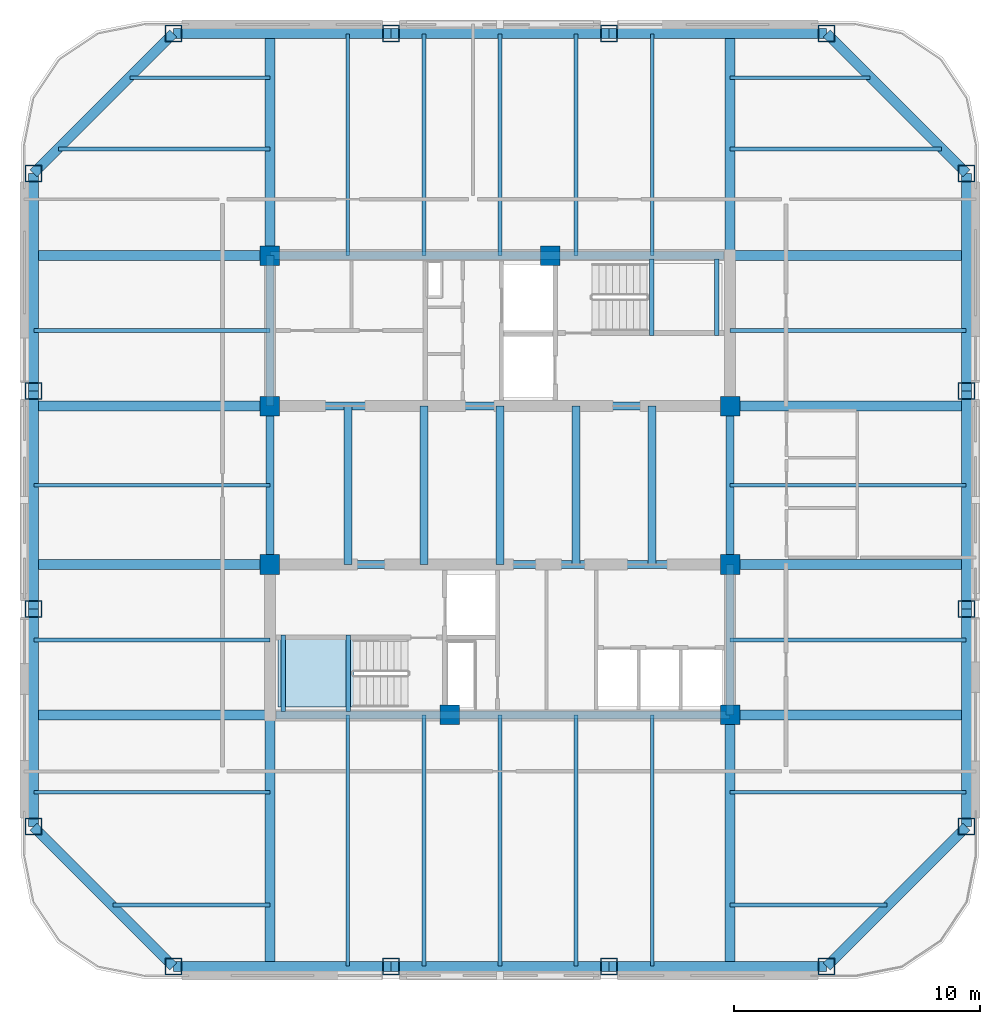
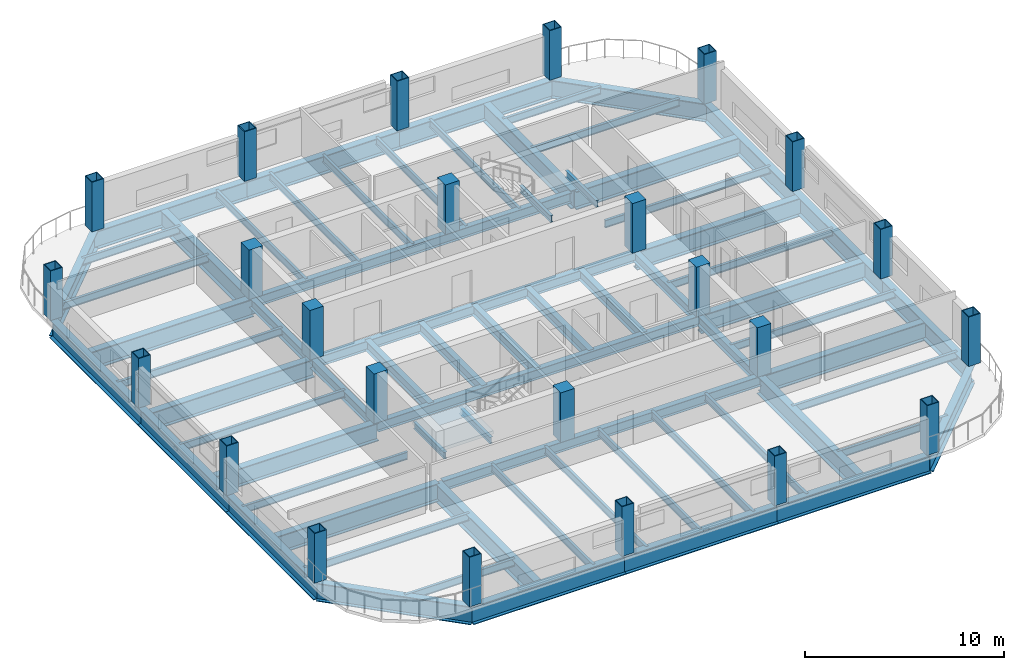
# One storey, part 1 of 8: 69 beams, 24 columns, 1 slab, 1 element without a shape of its own.
"""IFC4 building model written with IfcOpenShell, lengths in metres."""

from ifc_helpers import new_model, si_unit, direction, frame, origin, origin_2d, place, context, subcontext, project, spatial, polyline, rectangle, hollow_rectangle, i_section, outline, extrude, material, layer, layer_set, material_profile, profile_set, type_object, element, aggregate, save


model = new_model("IFC4")

# Units and contexts
model_context = context("Model", 3, precision=1e-05, world=origin(), true_north=direction((0.0, 1.0)))
body_context = subcontext(model_context, "Body", "Model", "MODEL_VIEW")
ifc_project = project(units=[si_unit("LENGTHUNIT", "METRE"), si_unit("AREAUNIT", "SQUARE_METRE"), si_unit("VOLUMEUNIT", "CUBIC_METRE"), si_unit("PLANEANGLEUNIT", "RADIAN"), si_unit("MASSUNIT", "GRAM", prefix="KILO")], contexts=[model_context])

# Site, building, storey
site_placement = place(None, origin())
site = spatial("IfcSite", under=ifc_project, at=site_placement, CompositionType="ELEMENT")
building_placement = place(site_placement, origin())
building = spatial("IfcBuilding", under=site, at=building_placement, Name="Qhalaya Broadcast Tower", CompositionType="ELEMENT")
storey_placement = place(building_placement, frame((0.0, 0.0, 202.550048828125)))
storey = spatial("IfcBuildingStorey", under=building, at=storey_placement, Name="L59", CompositionType="ELEMENT", Elevation=202.550048828125)

# Columns
ifc_material_1 = material(Name="Concrete C50/60", Category="concrete")
ifc_material_profile_1 = material_profile(ifc_material_1, rectangle(XDim=0.800048828125, YDim=0.800048828125, at=origin_2d()), Name="RC-COL 800x800")
ifc_profile_set_1 = profile_set([ifc_material_profile_1], Name="Concrete C50/60")
column_type_1 = type_object("IfcColumnType", Name="RC Upper Column C10", PredefinedType="COLUMN", material=ifc_profile_set_1)
for number, where, z_axis, x_axis, name in (
    (1, (-9.375, 9.949951171875, 0.0), (0.0, 0.0, 1.0), (1.0, 0.0, 0.0), "L59 Column COL-CC1"),
    (2, (2.050048828125, 9.949951171875, 0.0), (0.0, 0.0, 1.0), (1.0, 0.0, 0.0), "L59 Column COL-CC2"),
    (3, (-9.375, 3.824951171875, 0.0), (0.0, 0.0, 1.0), (1.0, 0.0, 0.0), "L59 Column COL-CC3"),
    (4, (9.375, 3.824951171875, 0.0), (0.0, 0.0, 1.0), (1.0, 0.0, 0.0), "L59 Column COL-CC4"),
    (5, (-9.375, -2.625, 0.0), (0.0, 0.0, 1.0), (1.0, 0.0, 0.0), "L59 Column COL-CC5"),
    (6, (9.375, -2.625, 0.0), (0.0, 0.0, 1.0), (1.0, 0.0, 0.0), "L59 Column COL-CC6"),
    (7, (-2.050048828125, -8.75, 0.0), (0.0, 0.0, 1.0), (1.0, 0.0, 0.0), "L59 Column COL-CC7"),
    (8, (9.375, -8.75, 0.0), (0.0, 0.0, 1.0), (1.0, 0.0, 0.0), "L59 Column COL-CC8"),
):
    element("IfcColumn", number, at=place(storey_placement, frame(where, z_axis=z_axis, x_axis=x_axis)), inside=storey, type_object=column_type_1, Name=name, PredefinedType="COLUMN", context=body_context, shape_type="SweptSolid", body=[
        extrude(rectangle(XDim=0.800048828125, YDim=0.800048828125, at=origin_2d()), origin(), (0.0, 0.0, 1.0), 3.050048828125),
    ])
ifc_material_2 = material(Name="Structural Steel ASTM A572 Grade 50", Category="steel")
ifc_material_profile_2 = material_profile(ifc_material_2, hollow_rectangle(XDim=0.699951171875, YDim=0.699951171875, WallThickness=0.044921875, at=origin_2d()), Name="BOX 700x700x45")
ifc_profile_set_2 = profile_set([ifc_material_profile_2], Name="Structural Steel ASTM A572 Grade 50")
column_type_2 = type_object("IfcColumnType", Name="Steel Box Column C04", PredefinedType="COLUMN", material=ifc_profile_set_2)
for number, where, z_axis, x_axis, name in (
    (9, (-13.300048828125, -19.0, 0.0), (0.0, 0.0, 1.0), (1.0, 0.0, 0.0), "L59 Column COL-EX01"),
    (10, (-4.433349609375, -19.0, 0.0), (0.0, 0.0, 1.0), (1.0, 0.0, 0.0), "L59 Column COL-EX02"),
    (11, (4.433349609375, -19.0, 0.0), (0.0, 0.0, 1.0), (1.0, 0.0, 0.0), "L59 Column COL-EX03"),
    (12, (13.300048828125, -19.0, 0.0), (0.0, 0.0, 1.0), (1.0, 0.0, 0.0), "L59 Column COL-EX04"),
    (13, (19.0, -13.300048828125, 0.0), (0.0, 0.0, 1.0), (0.0, 1.0, 0.0), "L59 Column COL-EX05"),
    (14, (19.0, -4.433349609375, 0.0), (0.0, 0.0, 1.0), (0.0, 1.0, 0.0), "L59 Column COL-EX06"),
    (15, (19.0, 4.433349609375, 0.0), (0.0, 0.0, 1.0), (0.0, 1.0, 0.0), "L59 Column COL-EX07"),
    (16, (19.0, 13.300048828125, 0.0), (0.0, 0.0, 1.0), (0.0, 1.0, 0.0), "L59 Column COL-EX08"),
    (17, (13.300048828125, 19.0, 0.0), (0.0, 0.0, 1.0), (1.0, 0.0, 0.0), "L59 Column COL-EX09"),
    (18, (4.433349609375, 19.0, 0.0), (0.0, 0.0, 1.0), (1.0, 0.0, 0.0), "L59 Column COL-EX10"),
    (19, (-4.433349609375, 19.0, 0.0), (0.0, 0.0, 1.0), (1.0, 0.0, 0.0), "L59 Column COL-EX11"),
    (20, (-13.300048828125, 19.0, 0.0), (0.0, 0.0, 1.0), (1.0, 0.0, 0.0), "L59 Column COL-EX12"),
    (21, (-19.0, 13.300048828125, 0.0), (0.0, 0.0, 1.0), (0.0, 1.0, 0.0), "L59 Column COL-EX13"),
    (22, (-19.0, 4.433349609375, 0.0), (0.0, 0.0, 1.0), (0.0, 1.0, 0.0), "L59 Column COL-EX14"),
    (23, (-19.0, -4.433349609375, 0.0), (0.0, 0.0, 1.0), (0.0, 1.0, 0.0), "L59 Column COL-EX15"),
    (24, (-19.0, -13.300048828125, 0.0), (0.0, 0.0, 1.0), (0.0, 1.0, 0.0), "L59 Column COL-EX16"),
):
    element("IfcColumn", number, at=place(storey_placement, frame(where, z_axis=z_axis, x_axis=x_axis)), inside=storey, type_object=column_type_2, Name=name, PredefinedType="COLUMN", context=body_context, shape_type="SweptSolid", body=[
        extrude(hollow_rectangle(XDim=0.699951171875, YDim=0.699951171875, WallThickness=0.044921875, at=origin_2d()), origin(), (0.0, 0.0, 1.0), 3.050048828125),
    ])

# Beams
ifc_material_3 = material(Name="Structural Steel ASTM A992 Grade 50", Category="steel")
ifc_material_profile_3 = material_profile(ifc_material_3, i_section(OverallWidth=0.154052734375, OverallDepth=0.458984375, WebThickness=0.009033203125, FlangeThickness=0.015380859375, at=origin_2d()), Name="W18X46")
ifc_profile_set_3 = profile_set([ifc_material_profile_3], Name="Structural Steel ASTM A992 Grade 50")
beam_type_1 = type_object("IfcBeamType", Name="Composite Floor Joist J04", PredefinedType="JOIST", material=ifc_profile_set_3)
beam_1_placement = place(storey_placement, frame((-6.199951171875, -18.97998046875, -0.41943359375), z_axis=(0.0, 1.0, 0.0), x_axis=(-1.0, 0.0, 0.0)))
element("IfcBeam", 25, at=beam_1_placement, inside=storey, type_object=beam_type_1, Name="L59 J04 L59-JNS1-1", PredefinedType="JOIST", context=body_context, shape_type="SweptSolid", body=[
    extrude(i_section(OverallWidth=0.154052734375, OverallDepth=0.458984375, WebThickness=0.009033203125, FlangeThickness=0.015380859375, at=origin_2d()), origin(), (0.0, 0.0, 1.0), 10.22998046875),
])
beam_2_placement = place(storey_placement, frame((-6.199951171875, 9.949951171875, -0.41943359375), z_axis=(0.0, 1.0, 0.0), x_axis=(-1.0, 0.0, 0.0)))
element("IfcBeam", 26, at=beam_2_placement, inside=storey, type_object=beam_type_1, Name="L59 J04 L59-JNN1-1", PredefinedType="JOIST", context=body_context, shape_type="SweptSolid", body=[
    extrude(i_section(OverallWidth=0.154052734375, OverallDepth=0.458984375, WebThickness=0.009033203125, FlangeThickness=0.015380859375, at=origin_2d()), origin(), (0.0, 0.0, 1.0), 9.030029296875),
])
beam_3_placement = place(storey_placement, frame((-3.10009765625, -18.97998046875, -0.41943359375), z_axis=(0.0, 1.0, 0.0), x_axis=(-1.0, 0.0, 0.0)))
element("IfcBeam", 27, at=beam_3_placement, inside=storey, type_object=beam_type_1, Name="L59 J04 L59-JNS2-1", PredefinedType="JOIST", context=body_context, shape_type="SweptSolid", body=[
    extrude(i_section(OverallWidth=0.154052734375, OverallDepth=0.458984375, WebThickness=0.009033203125, FlangeThickness=0.015380859375, at=origin_2d()), origin(), (0.0, 0.0, 1.0), 10.22998046875),
])
beam_4_placement = place(storey_placement, frame((-3.10009765625, 9.949951171875, -0.41943359375), z_axis=(0.0, 1.0, 0.0), x_axis=(-1.0, 0.0, 0.0)))
element("IfcBeam", 28, at=beam_4_placement, inside=storey, type_object=beam_type_1, Name="L59 J04 L59-JNN2-1", PredefinedType="JOIST", context=body_context, shape_type="SweptSolid", body=[
    extrude(i_section(OverallWidth=0.154052734375, OverallDepth=0.458984375, WebThickness=0.009033203125, FlangeThickness=0.015380859375, at=origin_2d()), origin(), (0.0, 0.0, 1.0), 9.030029296875),
])
beam_5_placement = place(storey_placement, frame((0.0, -18.97998046875, -0.41943359375), z_axis=(0.0, 1.0, 0.0), x_axis=(-1.0, 0.0, 0.0)))
element("IfcBeam", 29, at=beam_5_placement, inside=storey, type_object=beam_type_1, Name="L59 J04 L59-JNS3-1", PredefinedType="JOIST", context=body_context, shape_type="SweptSolid", body=[
    extrude(i_section(OverallWidth=0.154052734375, OverallDepth=0.458984375, WebThickness=0.009033203125, FlangeThickness=0.015380859375, at=origin_2d()), origin(), (0.0, 0.0, 1.0), 10.22998046875),
])
beam_6_placement = place(storey_placement, frame((0.0, 9.949951171875, -0.41943359375), z_axis=(0.0, 1.0, 0.0), x_axis=(-1.0, 0.0, 0.0)))
element("IfcBeam", 30, at=beam_6_placement, inside=storey, type_object=beam_type_1, Name="L59 J04 L59-JNN3-1", PredefinedType="JOIST", context=body_context, shape_type="SweptSolid", body=[
    extrude(i_section(OverallWidth=0.154052734375, OverallDepth=0.458984375, WebThickness=0.009033203125, FlangeThickness=0.015380859375, at=origin_2d()), origin(), (0.0, 0.0, 1.0), 9.030029296875),
])
beam_7_placement = place(storey_placement, frame((3.10009765625, -18.97998046875, -0.41943359375), z_axis=(0.0, 1.0, 0.0), x_axis=(-1.0, 0.0, 0.0)))
element("IfcBeam", 31, at=beam_7_placement, inside=storey, type_object=beam_type_1, Name="L59 J04 L59-JNS4-1", PredefinedType="JOIST", context=body_context, shape_type="SweptSolid", body=[
    extrude(i_section(OverallWidth=0.154052734375, OverallDepth=0.458984375, WebThickness=0.009033203125, FlangeThickness=0.015380859375, at=origin_2d()), origin(), (0.0, 0.0, 1.0), 10.22998046875),
])
beam_8_placement = place(storey_placement, frame((3.10009765625, 9.949951171875, -0.41943359375), z_axis=(0.0, 1.0, 0.0), x_axis=(-1.0, 0.0, 0.0)))
element("IfcBeam", 32, at=beam_8_placement, inside=storey, type_object=beam_type_1, Name="L59 J04 L59-JNN4-1", PredefinedType="JOIST", context=body_context, shape_type="SweptSolid", body=[
    extrude(i_section(OverallWidth=0.154052734375, OverallDepth=0.458984375, WebThickness=0.009033203125, FlangeThickness=0.015380859375, at=origin_2d()), origin(), (0.0, 0.0, 1.0), 9.030029296875),
])
beam_9_placement = place(storey_placement, frame((6.199951171875, -18.97998046875, -0.41943359375), z_axis=(0.0, 1.0, 0.0), x_axis=(-1.0, 0.0, 0.0)))
element("IfcBeam", 33, at=beam_9_placement, inside=storey, type_object=beam_type_1, Name="L59 J04 L59-JNS5-1", PredefinedType="JOIST", context=body_context, shape_type="SweptSolid", body=[
    extrude(i_section(OverallWidth=0.154052734375, OverallDepth=0.458984375, WebThickness=0.009033203125, FlangeThickness=0.015380859375, at=origin_2d()), origin(), (0.0, 0.0, 1.0), 10.22998046875),
])
beam_10_placement = place(storey_placement, frame((6.199951171875, 9.949951171875, -0.41943359375), z_axis=(0.0, 1.0, 0.0), x_axis=(-1.0, 0.0, 0.0)))
element("IfcBeam", 34, at=beam_10_placement, inside=storey, type_object=beam_type_1, Name="L59 J04 L59-JNN5-1", PredefinedType="JOIST", context=body_context, shape_type="SweptSolid", body=[
    extrude(i_section(OverallWidth=0.154052734375, OverallDepth=0.458984375, WebThickness=0.009033203125, FlangeThickness=0.015380859375, at=origin_2d()), origin(), (0.0, 0.0, 1.0), 9.030029296875),
])
for number, where, z_axis, x_axis, name in (
    (35, (-15.771728515625, -16.5, -0.41943359375), (1.0, 0.0, 0.0), (0.0, 1.0, 0.0), "L59 J04 L59-JWE1W-1"),
    (36, (9.375, -16.5, -0.41943359375), (1.0, 0.0, 0.0), (0.0, 1.0, 0.0), "L59 J04 L59-JWE1E-1"),
):
    element("IfcBeam", number, at=place(storey_placement, frame(where, z_axis=z_axis, x_axis=x_axis)), inside=storey, type_object=beam_type_1, Name=name, PredefinedType="JOIST", context=body_context, shape_type="SweptSolid", body=[
        extrude(i_section(OverallWidth=0.154052734375, OverallDepth=0.458984375, WebThickness=0.009033203125, FlangeThickness=0.015380859375, at=origin_2d()), origin(), (0.0, 0.0, 1.0), 6.396728515625),
    ])
for number, where, z_axis, x_axis, name in (
    (37, (-18.97998046875, -11.89990234375, -0.41943359375), (1.0, 0.0, 0.0), (0.0, 1.0, 0.0), "L59 J04 L59-JWE2W-1"),
    (38, (9.375, -11.89990234375, -0.41943359375), (1.0, 0.0, 0.0), (0.0, 1.0, 0.0), "L59 J04 L59-JWE2E-1"),
    (39, (-18.97998046875, -5.699951171875, -0.41943359375), (1.0, 0.0, 0.0), (0.0, 1.0, 0.0), "L59 J04 L59-JWE3W-1"),
    (40, (9.375, -5.699951171875, -0.41943359375), (1.0, 0.0, 0.0), (0.0, 1.0, 0.0), "L59 J04 L59-JWE3E-1"),
    (41, (-18.97998046875, 0.60009765625, -0.41943359375), (1.0, 0.0, 0.0), (0.0, 1.0, 0.0), "L59 J04 L59-JWE4W-1"),
    (42, (9.375, 0.60009765625, -0.41943359375), (1.0, 0.0, 0.0), (0.0, 1.0, 0.0), "L59 J04 L59-JWE4E-1"),
    (43, (-18.97998046875, 6.89990234375, -0.41943359375), (1.0, 0.0, 0.0), (0.0, 1.0, 0.0), "L59 J04 L59-JWE5W-1"),
    (44, (9.375, 6.89990234375, -0.41943359375), (1.0, 0.0, 0.0), (0.0, 1.0, 0.0), "L59 J04 L59-JWE5E-1"),
):
    element("IfcBeam", number, at=place(storey_placement, frame(where, z_axis=z_axis, x_axis=x_axis)), inside=storey, type_object=beam_type_1, Name=name, PredefinedType="JOIST", context=body_context, shape_type="SweptSolid", body=[
        extrude(i_section(OverallWidth=0.154052734375, OverallDepth=0.458984375, WebThickness=0.009033203125, FlangeThickness=0.015380859375, at=origin_2d()), origin(), (0.0, 0.0, 1.0), 9.60498046875),
    ])
for number, where, z_axis, x_axis, name in (
    (45, (-17.9716796875, 14.300048828125, -0.41943359375), (1.0, 0.0, 0.0), (0.0, 1.0, 0.0), "L59 J04 L59-JWE6W-1"),
    (46, (9.375, 14.300048828125, -0.41943359375), (1.0, 0.0, 0.0), (0.0, 1.0, 0.0), "L59 J04 L59-JWE6E-1"),
):
    element("IfcBeam", number, at=place(storey_placement, frame(where, z_axis=z_axis, x_axis=x_axis)), inside=storey, type_object=beam_type_1, Name=name, PredefinedType="JOIST", context=body_context, shape_type="SweptSolid", body=[
        extrude(i_section(OverallWidth=0.154052734375, OverallDepth=0.458984375, WebThickness=0.009033203125, FlangeThickness=0.015380859375, at=origin_2d()), origin(), (0.0, 0.0, 1.0), 8.5966796875),
    ])
for number, where, z_axis, x_axis, name in (
    (47, (-15.07177734375, 17.199951171875, -0.41943359375), (1.0, 0.0, 0.0), (0.0, 1.0, 0.0), "L59 J04 L59-JWE7W-1"),
    (48, (9.375, 17.199951171875, -0.41943359375), (1.0, 0.0, 0.0), (0.0, 1.0, 0.0), "L59 J04 L59-JWE7E-1"),
):
    element("IfcBeam", number, at=place(storey_placement, frame(where, z_axis=z_axis, x_axis=x_axis)), inside=storey, type_object=beam_type_1, Name=name, PredefinedType="JOIST", context=body_context, shape_type="SweptSolid", body=[
        extrude(i_section(OverallWidth=0.154052734375, OverallDepth=0.458984375, WebThickness=0.009033203125, FlangeThickness=0.015380859375, at=origin_2d()), origin(), (0.0, 0.0, 1.0), 5.69677734375),
    ])
ifc_material_profile_4 = material_profile(ifc_material_3, i_section(OverallWidth=0.323974609375, OverallDepth=0.612060546875, WebThickness=0.0126953125, FlangeThickness=0.01904296875, at=origin_2d()), Name="W24X104")
ifc_profile_set_4 = profile_set([ifc_material_profile_4], Name="Structural Steel ASTM A992 Grade 50")
beam_type_2 = type_object("IfcBeamType", Name="Core Frame Tie Beam B04", PredefinedType="BEAM", material=ifc_profile_set_4)
beam_11_placement = place(storey_placement, frame((-9.375, 3.824951171875, -0.49609375), z_axis=(1.0, 0.0, 0.0), x_axis=(0.0, 1.0, 0.0)))
element("IfcBeam", 49, at=beam_11_placement, inside=storey, type_object=beam_type_2, Name="L59 B04 L59-CCN1", PredefinedType="BEAM", context=body_context, shape_type="SweptSolid", body=[
    extrude(i_section(OverallWidth=0.323974609375, OverallDepth=0.612060546875, WebThickness=0.0126953125, FlangeThickness=0.01904296875, at=origin_2d()), origin(), (0.0, 0.0, 1.0), 18.75),
])
beam_12_placement = place(storey_placement, frame((-9.375, 3.824951171875, -0.49609375), z_axis=(0.0, 1.0, 0.0), x_axis=(-1.0, 0.0, 0.0)))
element("IfcBeam", 50, at=beam_12_placement, inside=storey, type_object=beam_type_2, Name="L59 B04 L59-CCN2", PredefinedType="BEAM", context=body_context, shape_type="SweptSolid", body=[
    extrude(i_section(OverallWidth=0.323974609375, OverallDepth=0.612060546875, WebThickness=0.0126953125, FlangeThickness=0.01904296875, at=origin_2d()), origin(), (0.0, 0.0, 1.0), 6.125),
])
beam_13_placement = place(storey_placement, frame((-9.375, 9.949951171875, -0.49609375), z_axis=(1.0, 0.0, 0.0), x_axis=(0.0, 1.0, 0.0)))
element("IfcBeam", 51, at=beam_13_placement, inside=storey, type_object=beam_type_2, Name="L59 B04 L59-CCN3", PredefinedType="BEAM", context=body_context, shape_type="SweptSolid", body=[
    extrude(i_section(OverallWidth=0.323974609375, OverallDepth=0.612060546875, WebThickness=0.0126953125, FlangeThickness=0.01904296875, at=origin_2d()), origin(), (0.0, 0.0, 1.0), 18.4951171875),
])
beam_14_placement = place(storey_placement, frame((-9.375, -2.625, -0.49609375), z_axis=(1.0, 0.0, 0.0), x_axis=(0.0, 1.0, 0.0)))
element("IfcBeam", 52, at=beam_14_placement, inside=storey, type_object=beam_type_2, Name="L59 B04 L59-CCS1", PredefinedType="BEAM", context=body_context, shape_type="SweptSolid", body=[
    extrude(i_section(OverallWidth=0.323974609375, OverallDepth=0.612060546875, WebThickness=0.0126953125, FlangeThickness=0.01904296875, at=origin_2d()), origin(), (0.0, 0.0, 1.0), 18.75),
])
beam_15_placement = place(storey_placement, frame((9.375, -8.75, -0.49609375), z_axis=(0.0, 1.0, 0.0), x_axis=(-1.0, 0.0, 0.0)))
element("IfcBeam", 53, at=beam_15_placement, inside=storey, type_object=beam_type_2, Name="L59 B04 L59-CCS2", PredefinedType="BEAM", context=body_context, shape_type="SweptSolid", body=[
    extrude(i_section(OverallWidth=0.323974609375, OverallDepth=0.612060546875, WebThickness=0.0126953125, FlangeThickness=0.01904296875, at=origin_2d()), origin(), (0.0, 0.0, 1.0), 6.125),
])
beam_16_placement = place(storey_placement, frame((-9.1201171875, -8.75, -0.49609375), z_axis=(1.0, 0.0, 0.0), x_axis=(0.0, 1.0, 0.0)))
element("IfcBeam", 54, at=beam_16_placement, inside=storey, type_object=beam_type_2, Name="L59 B04 L59-CCS3", PredefinedType="BEAM", context=body_context, shape_type="SweptSolid", body=[
    extrude(i_section(OverallWidth=0.323974609375, OverallDepth=0.612060546875, WebThickness=0.0126953125, FlangeThickness=0.01904296875, at=origin_2d()), origin(), (0.0, 0.0, 1.0), 18.4951171875),
])
for number, where, z_axis, x_axis, name in (
    (55, (-9.375, -2.625, -0.49609375), (0.0, 1.0, 0.0), (-1.0, 0.0, 0.0), "L59 B04 L59-CCW"),
    (56, (9.375, -2.625, -0.49609375), (0.0, 1.0, 0.0), (-1.0, 0.0, 0.0), "L59 B04 L59-CCE"),
    (57, (-6.199951171875, -2.625, -0.49609375), (0.0, 1.0, 0.0), (-1.0, 0.0, 0.0), "L59 B04 L59-JC1-1"),
    (58, (-3.10009765625, -2.625, -0.49609375), (0.0, 1.0, 0.0), (-1.0, 0.0, 0.0), "L59 B04 L59-JC2-1"),
    (59, (0.0, -2.625, -0.49609375), (0.0, 1.0, 0.0), (-1.0, 0.0, 0.0), "L59 B04 L59-JC3-1"),
    (60, (3.10009765625, -2.625, -0.49609375), (0.0, 1.0, 0.0), (-1.0, 0.0, 0.0), "L59 B04 L59-JC4-1"),
    (61, (6.199951171875, -2.625, -0.49609375), (0.0, 1.0, 0.0), (-1.0, 0.0, 0.0), "L59 B04 L59-JC5-1"),
):
    element("IfcBeam", number, at=place(storey_placement, frame(where, z_axis=z_axis, x_axis=x_axis)), inside=storey, type_object=beam_type_2, Name=name, PredefinedType="BEAM", context=body_context, shape_type="SweptSolid", body=[
        extrude(i_section(OverallWidth=0.323974609375, OverallDepth=0.612060546875, WebThickness=0.0126953125, FlangeThickness=0.01904296875, at=origin_2d()), origin(), (0.0, 0.0, 1.0), 6.449951171875),
    ])
ifc_material_profile_5 = material_profile(ifc_material_3, i_section(OverallWidth=0.404052734375, OverallDepth=1.117919921875, WebThickness=0.026123046875, FlangeThickness=0.044921875, at=origin_2d()), Name="W44X335")
ifc_profile_set_5 = profile_set([ifc_material_profile_5], Name="Structural Steel ASTM A992 Grade 50")
beam_type_3 = type_object("IfcBeamType", Name="Podium Long-Span Primary Girder PG1", PredefinedType="USERDEFINED", material=ifc_profile_set_5)
for number, where, z_axis, x_axis, name in (
    (62, (-13.300048828125, -19.0, -0.7490234375), (1.0, 0.0, 0.0), (0.0, 1.0, 0.0), "L59 PG1 L59-SPR-01"),
    (63, (-4.433349609375, -19.0, -0.7490234375), (1.0, 0.0, 0.0), (0.0, 1.0, 0.0), "L59 PG1 L59-SPR-02"),
    (64, (4.433349609375, -19.0, -0.7490234375), (1.0, 0.0, 0.0), (0.0, 1.0, 0.0), "L59 PG1 L59-SPR-03"),
):
    element("IfcBeam", number, at=place(storey_placement, frame(where, z_axis=z_axis, x_axis=x_axis)), inside=storey, type_object=beam_type_3, Name=name, ObjectType="GIRDER", PredefinedType="USERDEFINED", context=body_context, shape_type="SweptSolid", body=[
        extrude(i_section(OverallWidth=0.404052734375, OverallDepth=1.117919921875, WebThickness=0.026123046875, FlangeThickness=0.044921875, at=origin_2d()), origin(), (0.0, 0.0, 1.0), 8.86669921875),
    ])
beam_17_placement = place(storey_placement, frame((13.300048828125, -19.0, -0.7490234375), z_axis=(0.707106781187, 0.707106781187, 0.0), x_axis=(-0.707106781187, 0.707106781187, 0.0)))
element("IfcBeam", 65, at=beam_17_placement, inside=storey, type_object=beam_type_3, Name="L59 PG1 L59-SPR-04", ObjectType="GIRDER", PredefinedType="USERDEFINED", context=body_context, shape_type="SweptSolid", body=[
    extrude(i_section(OverallWidth=0.404052734375, OverallDepth=1.117919921875, WebThickness=0.026123046875, FlangeThickness=0.044921875, at=origin_2d()), origin(), (0.0, 0.0, 1.0), 8.06103515625),
])
for number, where, z_axis, x_axis, name in (
    (66, (19.0, -13.300048828125, -0.7490234375), (0.0, 1.0, 0.0), (-1.0, 0.0, 0.0), "L59 PG1 L59-SPR-05"),
    (67, (19.0, -4.433349609375, -0.7490234375), (0.0, 1.0, 0.0), (-1.0, 0.0, 0.0), "L59 PG1 L59-SPR-06"),
    (68, (19.0, 4.433349609375, -0.7490234375), (0.0, 1.0, 0.0), (-1.0, 0.0, 0.0), "L59 PG1 L59-SPR-07"),
):
    element("IfcBeam", number, at=place(storey_placement, frame(where, z_axis=z_axis, x_axis=x_axis)), inside=storey, type_object=beam_type_3, Name=name, ObjectType="GIRDER", PredefinedType="USERDEFINED", context=body_context, shape_type="SweptSolid", body=[
        extrude(i_section(OverallWidth=0.404052734375, OverallDepth=1.117919921875, WebThickness=0.026123046875, FlangeThickness=0.044921875, at=origin_2d()), origin(), (0.0, 0.0, 1.0), 8.86669921875),
    ])
beam_18_placement = place(storey_placement, frame((19.0, 13.300048828125, -0.7490234375), z_axis=(-0.707106781187, 0.707106781187, 0.0), x_axis=(-0.707106781187, -0.707106781187, 0.0)))
element("IfcBeam", 69, at=beam_18_placement, inside=storey, type_object=beam_type_3, Name="L59 PG1 L59-SPR-08", ObjectType="GIRDER", PredefinedType="USERDEFINED", context=body_context, shape_type="SweptSolid", body=[
    extrude(i_section(OverallWidth=0.404052734375, OverallDepth=1.117919921875, WebThickness=0.026123046875, FlangeThickness=0.044921875, at=origin_2d()), origin(), (0.0, 0.0, 1.0), 8.06103515625),
])
for number, where, z_axis, x_axis, name in (
    (70, (13.300048828125, 19.0, -0.7490234375), (-1.0, 0.0, 0.0), (0.0, -1.0, 0.0), "L59 PG1 L59-SPR-09"),
    (71, (4.433349609375, 19.0, -0.7490234375), (-1.0, 0.0, 0.0), (0.0, -1.0, 0.0), "L59 PG1 L59-SPR-10"),
    (72, (-4.433349609375, 19.0, -0.7490234375), (-1.0, 0.0, 0.0), (0.0, -1.0, 0.0), "L59 PG1 L59-SPR-11"),
):
    element("IfcBeam", number, at=place(storey_placement, frame(where, z_axis=z_axis, x_axis=x_axis)), inside=storey, type_object=beam_type_3, Name=name, ObjectType="GIRDER", PredefinedType="USERDEFINED", context=body_context, shape_type="SweptSolid", body=[
        extrude(i_section(OverallWidth=0.404052734375, OverallDepth=1.117919921875, WebThickness=0.026123046875, FlangeThickness=0.044921875, at=origin_2d()), origin(), (0.0, 0.0, 1.0), 8.86669921875),
    ])
beam_19_placement = place(storey_placement, frame((-13.300048828125, 19.0, -0.7490234375), z_axis=(-0.707106781187, -0.707106781187, 0.0), x_axis=(0.707106781187, -0.707106781187, 0.0)))
element("IfcBeam", 73, at=beam_19_placement, inside=storey, type_object=beam_type_3, Name="L59 PG1 L59-SPR-12", ObjectType="GIRDER", PredefinedType="USERDEFINED", context=body_context, shape_type="SweptSolid", body=[
    extrude(i_section(OverallWidth=0.404052734375, OverallDepth=1.117919921875, WebThickness=0.026123046875, FlangeThickness=0.044921875, at=origin_2d()), origin(), (0.0, 0.0, 1.0), 8.06103515625),
])
for number, where, z_axis, x_axis, name in (
    (74, (-19.0, 13.300048828125, -0.7490234375), (0.0, -1.0, 0.0), (1.0, 0.0, 0.0), "L59 PG1 L59-SPR-13"),
    (75, (-19.0, 4.433349609375, -0.7490234375), (0.0, -1.0, 0.0), (1.0, 0.0, 0.0), "L59 PG1 L59-SPR-14"),
    (76, (-19.0, -4.433349609375, -0.7490234375), (0.0, -1.0, 0.0), (1.0, 0.0, 0.0), "L59 PG1 L59-SPR-15"),
):
    element("IfcBeam", number, at=place(storey_placement, frame(where, z_axis=z_axis, x_axis=x_axis)), inside=storey, type_object=beam_type_3, Name=name, ObjectType="GIRDER", PredefinedType="USERDEFINED", context=body_context, shape_type="SweptSolid", body=[
        extrude(i_section(OverallWidth=0.404052734375, OverallDepth=1.117919921875, WebThickness=0.026123046875, FlangeThickness=0.044921875, at=origin_2d()), origin(), (0.0, 0.0, 1.0), 8.86669921875),
    ])
beam_20_placement = place(storey_placement, frame((-19.0, -13.300048828125, -0.7490234375), z_axis=(0.707106781187, -0.707106781187, 0.0), x_axis=(0.707106781187, 0.707106781187, 0.0)))
element("IfcBeam", 77, at=beam_20_placement, inside=storey, type_object=beam_type_3, Name="L59 PG1 L59-SPR-16", ObjectType="GIRDER", PredefinedType="USERDEFINED", context=body_context, shape_type="SweptSolid", body=[
    extrude(i_section(OverallWidth=0.404052734375, OverallDepth=1.117919921875, WebThickness=0.026123046875, FlangeThickness=0.044921875, at=origin_2d()), origin(), (0.0, 0.0, 1.0), 8.06103515625),
])
beam_21_placement = place(storey_placement, frame((-9.375, -18.97998046875, -0.7490234375), z_axis=(0.0, 1.0, 0.0), x_axis=(-1.0, 0.0, 0.0)))
element("IfcBeam", 78, at=beam_21_placement, inside=storey, type_object=beam_type_3, Name="L59 PG1 L59-PGXS1-1", ObjectType="GIRDER", PredefinedType="USERDEFINED", context=body_context, shape_type="SweptSolid", body=[
    extrude(i_section(OverallWidth=0.404052734375, OverallDepth=1.117919921875, WebThickness=0.026123046875, FlangeThickness=0.044921875, at=origin_2d()), origin(), (0.0, 0.0, 1.0), 10.22998046875),
])
beam_22_placement = place(storey_placement, frame((-9.375, 9.949951171875, -0.7490234375), z_axis=(0.0, 1.0, 0.0), x_axis=(-1.0, 0.0, 0.0)))
element("IfcBeam", 79, at=beam_22_placement, inside=storey, type_object=beam_type_3, Name="L59 PG1 L59-PGXN1-1", ObjectType="GIRDER", PredefinedType="USERDEFINED", context=body_context, shape_type="SweptSolid", body=[
    extrude(i_section(OverallWidth=0.404052734375, OverallDepth=1.117919921875, WebThickness=0.026123046875, FlangeThickness=0.044921875, at=origin_2d()), origin(), (0.0, 0.0, 1.0), 9.030029296875),
])
beam_23_placement = place(storey_placement, frame((9.375, -18.97998046875, -0.7490234375), z_axis=(0.0, 1.0, 0.0), x_axis=(-1.0, 0.0, 0.0)))
element("IfcBeam", 80, at=beam_23_placement, inside=storey, type_object=beam_type_3, Name="L59 PG1 L59-PGXS2-1", ObjectType="GIRDER", PredefinedType="USERDEFINED", context=body_context, shape_type="SweptSolid", body=[
    extrude(i_section(OverallWidth=0.404052734375, OverallDepth=1.117919921875, WebThickness=0.026123046875, FlangeThickness=0.044921875, at=origin_2d()), origin(), (0.0, 0.0, 1.0), 10.22998046875),
])
beam_24_placement = place(storey_placement, frame((9.375, 9.949951171875, -0.7490234375), z_axis=(0.0, 1.0, 0.0), x_axis=(-1.0, 0.0, 0.0)))
element("IfcBeam", 81, at=beam_24_placement, inside=storey, type_object=beam_type_3, Name="L59 PG1 L59-PGXN2-1", ObjectType="GIRDER", PredefinedType="USERDEFINED", context=body_context, shape_type="SweptSolid", body=[
    extrude(i_section(OverallWidth=0.404052734375, OverallDepth=1.117919921875, WebThickness=0.026123046875, FlangeThickness=0.044921875, at=origin_2d()), origin(), (0.0, 0.0, 1.0), 9.030029296875),
])
for number, where, z_axis, x_axis, name in (
    (82, (-18.97998046875, -8.75, -0.7490234375), (1.0, 0.0, 0.0), (0.0, 1.0, 0.0), "L59 PG1 L59-PGYW1-1"),
    (83, (9.375, -8.75, -0.7490234375), (1.0, 0.0, 0.0), (0.0, 1.0, 0.0), "L59 PG1 L59-PGYE1-1"),
    (84, (-18.97998046875, -2.625, -0.7490234375), (1.0, 0.0, 0.0), (0.0, 1.0, 0.0), "L59 PG1 L59-PGYW2-1"),
    (85, (9.375, -2.625, -0.7490234375), (1.0, 0.0, 0.0), (0.0, 1.0, 0.0), "L59 PG1 L59-PGYE2-1"),
    (86, (-18.97998046875, 3.824951171875, -0.7490234375), (1.0, 0.0, 0.0), (0.0, 1.0, 0.0), "L59 PG1 L59-PGYW3-1"),
    (87, (9.375, 3.824951171875, -0.7490234375), (1.0, 0.0, 0.0), (0.0, 1.0, 0.0), "L59 PG1 L59-PGYE3-1"),
    (88, (-18.97998046875, 9.949951171875, -0.7490234375), (1.0, 0.0, 0.0), (0.0, 1.0, 0.0), "L59 PG1 L59-PGYW4-1"),
    (89, (9.375, 9.949951171875, -0.7490234375), (1.0, 0.0, 0.0), (0.0, 1.0, 0.0), "L59 PG1 L59-PGYE4-1"),
):
    element("IfcBeam", number, at=place(storey_placement, frame(where, z_axis=z_axis, x_axis=x_axis)), inside=storey, type_object=beam_type_3, Name=name, ObjectType="GIRDER", PredefinedType="USERDEFINED", context=body_context, shape_type="SweptSolid", body=[
        extrude(i_section(OverallWidth=0.404052734375, OverallDepth=1.117919921875, WebThickness=0.026123046875, FlangeThickness=0.044921875, at=origin_2d()), origin(), (0.0, 0.0, 1.0), 9.60498046875),
    ])
ifc_material_profile_6 = material_profile(ifc_material_3, i_section(OverallWidth=0.177978515625, OverallDepth=0.406005859375, WebThickness=0.0078125, FlangeThickness=0.0126953125, at=origin_2d()), Name="W16X40")
ifc_profile_set_6 = profile_set([ifc_material_profile_6], Name="Structural Steel ASTM A992 Grade 50")
beam_type_4 = type_object("IfcBeamType", Name="Upper Perimeter Spandrel Beam SP2", PredefinedType="SPANDREL", material=ifc_profile_set_6)
for number, where, z_axis, x_axis, name in (
    (90, (6.175048828125, 6.699951171875, 1.1220703125), (0.0, 1.0, 0.0), (-1.0, 0.0, 0.0), "L59 ST-1 Half-Landing Bearer Beam 1"),
    (91, (8.830078125, 6.699951171875, 1.1220703125), (0.0, 1.0, 0.0), (-1.0, 0.0, 0.0), "L59 ST-1 Half-Landing Bearer Beam 2"),
    (92, (-8.830078125, -8.6201171875, 1.1220703125), (0.0, 1.0, 0.0), (-1.0, 0.0, 0.0), "L59 ST-2 Half-Landing Bearer Beam 1"),
    (93, (-6.175048828125, -8.6201171875, 1.1220703125), (0.0, 1.0, 0.0), (-1.0, 0.0, 0.0), "L59 ST-2 Half-Landing Bearer Beam 2"),
):
    element("IfcBeam", number, at=place(storey_placement, frame(where, z_axis=z_axis, x_axis=x_axis)), inside=storey, type_object=beam_type_4, Name=name, PredefinedType="SPANDREL", context=body_context, shape_type="SweptSolid", body=[
        extrude(i_section(OverallWidth=0.177978515625, OverallDepth=0.406005859375, WebThickness=0.0078125, FlangeThickness=0.0126953125, at=origin_2d()), origin(), (0.0, 0.0, 1.0), 3.1201171875),
    ])

# Stair, slab
ifc_material_4 = material(Name="Concrete C40/50", Category="concrete")
stair_type = type_object("IfcStairType", Name="Protected Dogleg Core Stair 3150", PredefinedType="TWO_STRAIGHT_RUN_STAIR", material=ifc_material_4)
stair_placement = place(storey_placement, origin())
stair = element("IfcStair", 94, at=stair_placement, inside=storey, type_object=stair_type, Name="L59 South Core Exit Stair ST-2", PredefinedType="TWO_STRAIGHT_RUN_STAIR")
ifc_layer = layer(ifc_material_4, 0.199951171875, Name="Concrete C40/50")
ifc_layer_set = layer_set([ifc_layer], Name="Concrete C40/50")
slab_type = type_object("IfcSlabType", Name="Stair & Ramp Half-Landing Slab 200", PredefinedType="LANDING", material=ifc_layer_set)
slab_placement = place(storey_placement, frame((0.0, 0.0, 1.324951171875)))
slab = element("IfcSlab", 95, at=slab_placement, type_object=slab_type, Name="ST-2 landing 1", PredefinedType="LANDING", context=body_context, shape_type="SweptSolid", body=[
    extrude(outline(polyline([(-5.955078125, -5.679931640625), (-9.050048828125, -5.679931640625), (-9.050048828125, -8.43994140625), (-5.955078125, -8.43994140625), (-5.955078125, -5.679931640625)])), origin(), (0.0, 0.0, 1.0), 0.199951171875),
])
aggregate(stair, [slab])

save(model, "model.ifc")
